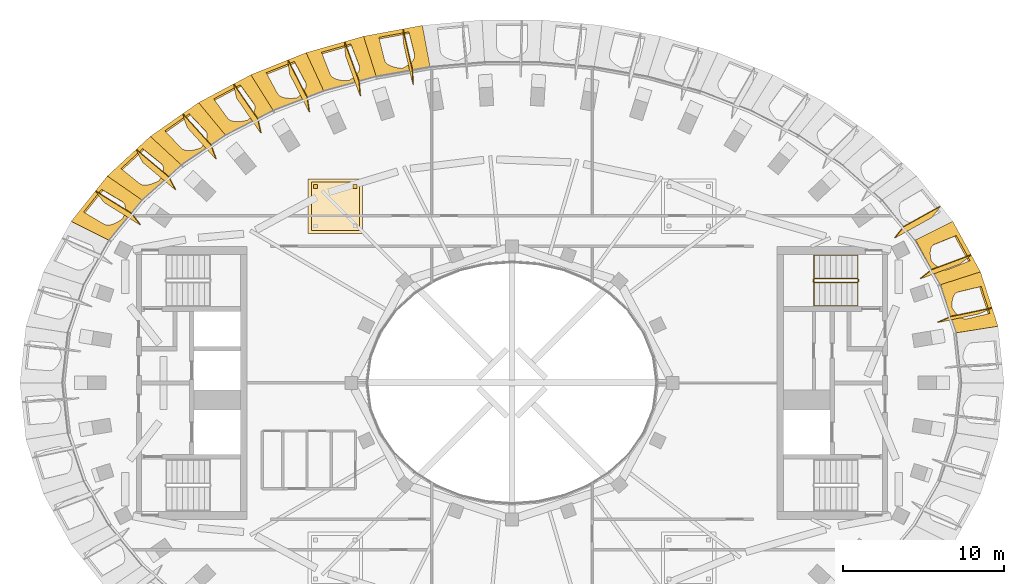
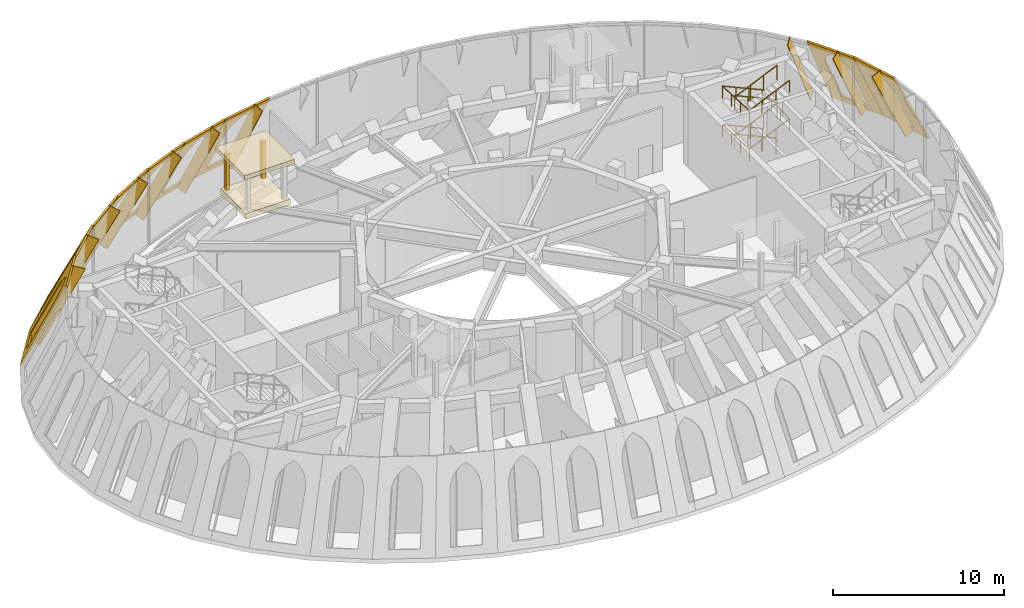
# One storey, part 12 of 13: 23 coverings, 2 railings.
"""IFC4 building model written with IfcOpenShell, lengths in metres."""

from ifc_helpers import new_model, si_unit, direction, frame, origin, origin_2d, place, context, subcontext, project, spatial, polyline, rectangle, outline, extrude, material, layer, layer_set, type_object, element, save


model = new_model("IFC4")

# Units and contexts
model_context = context("Model", 3, precision=1e-05, world=origin(), true_north=direction((0.0, 1.0)))
body_context = subcontext(model_context, "Body", "Model", "MODEL_VIEW")
ifc_project = project(units=[si_unit("LENGTHUNIT", "METRE"), si_unit("AREAUNIT", "SQUARE_METRE"), si_unit("VOLUMEUNIT", "CUBIC_METRE"), si_unit("PLANEANGLEUNIT", "RADIAN"), si_unit("MASSUNIT", "GRAM", prefix="KILO")], contexts=[model_context])

# Site, building, storey
site_placement = place(None, origin())
site = spatial("IfcSite", under=ifc_project, at=site_placement, CompositionType="ELEMENT")
building_placement = place(site_placement, origin())
building = spatial("IfcBuilding", under=site, at=building_placement, Name="Noorbagh Ring Tower", CompositionType="ELEMENT")
storey_placement = place(building_placement, frame((0.0, 0.0, 351.0)))
storey = spatial("IfcBuildingStorey", under=building, at=storey_placement, Name="L77", CompositionType="ELEMENT", Elevation=351.0)

# Railings
ifc_material_1 = material(Name="Stainless steel", Category="steel")
railing_type_1 = type_object("IfcRailingType", Name="CORE-STAIR-GUARD", PredefinedType="GUARDRAIL", material=ifc_material_1)
railing_1_placement = place(storey_placement, frame((21.580078125, 6.449951171875, 0.0)))
element("IfcRailing", 1, at=railing_1_placement, inside=storey, type_object=railing_type_1, Name="L77 ST3 stair guard", PredefinedType="GUARDRAIL", context=body_context, shape_type="SweptSolid", body=[
    extrude(rectangle(XDim=0.048095703125, YDim=0.048095703125, at=origin_2d()), frame((0.0, 0.0, 1.076171875), z_axis=(0.0, -1.0, 0.0), x_axis=(1.0, 0.0, 0.0)), (0.0, 0.0, 1.0), 0.14990234375),
    extrude(rectangle(XDim=0.048095703125, YDim=0.048095703125, at=origin_2d()), frame((0.0, -0.14990234375, 1.076171875), z_axis=(-0.195046945594, 0.779236333862, 0.595606770449), x_axis=(-0.970072785993, -0.242814311512, 0.0)), (0.0, 0.0, 1.0), 0.256591796875),
    extrude(rectangle(XDim=0.048095703125, YDim=0.048095703125, at=origin_2d()), frame((-0.050048828125, 0.050048828125, 1.22900390625), z_axis=(-0.912149621895, 0.0, 0.409857374312), x_axis=(0.0, -1.0, 0.0)), (0.0, 0.0, 1.0), 2.98193359375),
    extrude(rectangle(XDim=0.048095703125, YDim=0.048095703125, at=origin_2d()), frame((-2.77001953125, 0.050048828125, 2.451171875), z_axis=(-0.707106781187, -0.707106781187, 0.0), x_axis=(0.707106781187, -0.707106781187, 0.0)), (0.0, 0.0, 1.0), 0.07080078125),
    extrude(rectangle(XDim=0.048095703125, YDim=0.048095703125, at=origin_2d()), frame((-2.820068359375, 0.0, 2.451171875), z_axis=(0.0, -1.0, 0.0), x_axis=(1.0, 0.0, 0.0)), (0.0, 0.0, 1.0), 0.14990234375),
    extrude(rectangle(XDim=0.048095703125, YDim=0.048095703125, at=origin_2d()), frame((-2.820068359375, -0.14990234375, 2.451171875), z_axis=(0.297155754911, -0.297155754911, 0.90741220768), x_axis=(0.707106781187, 0.707106781187, 0.0)), (0.0, 0.0, 1.0), 0.16845703125),
    extrude(rectangle(XDim=0.048095703125, YDim=0.048095703125, at=origin_2d()), frame((-2.77001953125, -0.199951171875, 2.60400390625), z_axis=(0.912149621895, 0.0, 0.409857374312), x_axis=(0.0, 1.0, 0.0)), (0.0, 0.0, 1.0), 2.98193359375),
    extrude(rectangle(XDim=0.048095703125, YDim=0.048095703125, at=origin_2d()), frame((-0.050048828125, -0.199951171875, 3.826171875), z_axis=(0.242814311512, 0.970072785993, 0.0), x_axis=(-0.970072785993, 0.242814311512, 0.0)), (0.0, 0.0, 1.0), 0.2060546875),
    extrude(rectangle(XDim=0.048095703125, YDim=0.048095703125, at=origin_2d()), frame((0.0, 0.0, 3.826171875), z_axis=(0.0, -1.0, 0.0), x_axis=(1.0, 0.0, 0.0)), (0.0, 0.0, 1.0), 0.14990234375),
    extrude(rectangle(XDim=0.048095703125, YDim=0.048095703125, at=origin_2d()), frame((0.0, -0.14990234375, 3.826171875), z_axis=(-0.195046945594, 0.779236333862, 0.595606770449), x_axis=(-0.970072785993, -0.242814311512, 0.0)), (0.0, 0.0, 1.0), 0.256591796875),
    extrude(rectangle(XDim=0.048095703125, YDim=0.048095703125, at=origin_2d()), frame((-0.050048828125, 0.050048828125, 3.97900390625), z_axis=(-0.912149621895, 0.0, 0.409857374312), x_axis=(0.0, -1.0, 0.0)), (0.0, 0.0, 1.0), 2.98193359375),
    extrude(rectangle(XDim=0.048095703125, YDim=0.048095703125, at=origin_2d()), frame((-2.77001953125, 0.050048828125, 5.201171875), z_axis=(-0.707106781187, -0.707106781187, 0.0), x_axis=(0.707106781187, -0.707106781187, 0.0)), (0.0, 0.0, 1.0), 0.07080078125),
    extrude(rectangle(XDim=0.048095703125, YDim=0.048095703125, at=origin_2d()), frame((-2.820068359375, 0.0, 5.201171875), z_axis=(0.0, -1.0, 0.0), x_axis=(1.0, 0.0, 0.0)), (0.0, 0.0, 1.0), 0.14990234375),
    extrude(rectangle(XDim=0.048095703125, YDim=0.048095703125, at=origin_2d()), frame((-2.820068359375, -0.14990234375, 5.201171875), z_axis=(0.297155754911, -0.297155754911, 0.90741220768), x_axis=(0.707106781187, 0.707106781187, 0.0)), (0.0, 0.0, 1.0), 0.16845703125),
    extrude(rectangle(XDim=0.048095703125, YDim=0.048095703125, at=origin_2d()), frame((-2.77001953125, -0.199951171875, 5.35400390625), z_axis=(0.912149621895, 0.0, 0.409857374312), x_axis=(0.0, 1.0, 0.0)), (0.0, 0.0, 1.0), 2.98193359375),
    extrude(rectangle(XDim=0.0419921875, YDim=0.0419921875, at=origin_2d()), origin(), (0.0, 0.0, 1.0), 1.052001953125),
    extrude(rectangle(XDim=0.0419921875, YDim=0.0419921875, at=origin_2d()), frame((-0.956787109375, 0.050048828125, 0.560302734375)), (0.0, 0.0, 1.0), 1.052001953125),
    extrude(rectangle(XDim=0.0419921875, YDim=0.0419921875, at=origin_2d()), frame((-1.86328125, 0.050048828125, 0.967529296875)), (0.0, 0.0, 1.0), 1.052001953125),
    extrude(rectangle(XDim=0.0419921875, YDim=0.0419921875, at=origin_2d()), frame((-2.77001953125, 0.050048828125, 1.375)), (0.0, 0.0, 1.0), 1.052001953125),
    extrude(rectangle(XDim=0.0419921875, YDim=0.0419921875, at=origin_2d()), frame((-1.86328125, -0.199951171875, 1.935302734375)), (0.0, 0.0, 1.0), 1.052001953125),
    extrude(rectangle(XDim=0.0419921875, YDim=0.0419921875, at=origin_2d()), frame((-0.956787109375, -0.199951171875, 2.342529296875)), (0.0, 0.0, 1.0), 1.052001953125),
    extrude(rectangle(XDim=0.0419921875, YDim=0.0419921875, at=origin_2d()), frame((-0.050048828125, -0.199951171875, 2.75)), (0.0, 0.0, 1.0), 1.052001953125),
    extrude(rectangle(XDim=0.0419921875, YDim=0.0419921875, at=origin_2d()), frame((-0.956787109375, 0.050048828125, 3.310302734375)), (0.0, 0.0, 1.0), 1.052001953125),
    extrude(rectangle(XDim=0.0419921875, YDim=0.0419921875, at=origin_2d()), frame((-1.86328125, 0.050048828125, 3.717529296875)), (0.0, 0.0, 1.0), 1.052001953125),
    extrude(rectangle(XDim=0.0419921875, YDim=0.0419921875, at=origin_2d()), frame((-2.77001953125, 0.050048828125, 4.125)), (0.0, 0.0, 1.0), 1.052001953125),
    extrude(rectangle(XDim=0.0419921875, YDim=0.0419921875, at=origin_2d()), frame((-1.86328125, -0.199951171875, 4.685302734375)), (0.0, 0.0, 1.0), 1.052001953125),
    extrude(rectangle(XDim=0.0419921875, YDim=0.0419921875, at=origin_2d()), frame((-0.956787109375, -0.199951171875, 5.092529296875)), (0.0, 0.0, 1.0), 1.052001953125),
    extrude(rectangle(XDim=0.0419921875, YDim=0.0419921875, at=origin_2d()), frame((-0.050048828125, -0.199951171875, 5.5)), (0.0, 0.0, 1.0), 1.052001953125),
])
ifc_material_2 = material(Name="Stainless steel", Category="steel")
railing_type_2 = type_object("IfcRailingType", Name="CORE-STAIR-HANDRAIL", PredefinedType="HANDRAIL", material=ifc_material_2)
railing_2_placement = place(storey_placement, frame((21.530029296875, 7.949951171875, 0.15283203125)))
element("IfcRailing", 2, at=railing_2_placement, inside=storey, type_object=railing_type_2, Name="L77 ST3 stair handrail", PredefinedType="HANDRAIL", context=body_context, shape_type="SweptSolid", body=[
    extrude(rectangle(XDim=0.048095703125, YDim=0.048095703125, at=origin_2d()), frame((0.0, 0.0, 0.8759765625), z_axis=(-0.912149621895, 0.0, 0.409857374312), x_axis=(0.0, -1.0, 0.0)), (0.0, 0.0, 1.0), 2.98193359375),
    extrude(rectangle(XDim=0.048095703125, YDim=0.048095703125, at=origin_2d()), frame((-2.719970703125, 0.0, 2.09814453125), z_axis=(0.0, -0.998824997948, 0.048462598722), x_axis=(1.0, 0.0, 0.0)), (0.0, 0.0, 1.0), 3.153564453125),
    extrude(rectangle(XDim=0.048095703125, YDim=0.048095703125, at=origin_2d()), frame((-2.719970703125, -3.14990234375, 2.2509765625), z_axis=(0.912149621895, 0.0, 0.409857374312), x_axis=(0.0, 1.0, 0.0)), (0.0, 0.0, 1.0), 2.98193359375),
    extrude(rectangle(XDim=0.048095703125, YDim=0.048095703125, at=origin_2d()), frame((0.0, -3.14990234375, 3.47314453125), z_axis=(0.0, 0.998824997948, 0.048462598722), x_axis=(-1.0, 0.0, 0.0)), (0.0, 0.0, 1.0), 3.153564453125),
    extrude(rectangle(XDim=0.048095703125, YDim=0.048095703125, at=origin_2d()), frame((0.0, 0.0, 3.6259765625), z_axis=(-0.912149621895, 0.0, 0.409857374312), x_axis=(0.0, -1.0, 0.0)), (0.0, 0.0, 1.0), 2.98193359375),
    extrude(rectangle(XDim=0.048095703125, YDim=0.048095703125, at=origin_2d()), frame((-2.719970703125, 0.0, 4.84814453125), z_axis=(0.0, -0.998824997948, 0.048462598722), x_axis=(1.0, 0.0, 0.0)), (0.0, 0.0, 1.0), 3.153564453125),
    extrude(rectangle(XDim=0.048095703125, YDim=0.048095703125, at=origin_2d()), frame((-2.719970703125, -3.14990234375, 5.0009765625), z_axis=(0.912149621895, 0.0, 0.409857374312), x_axis=(0.0, 1.0, 0.0)), (0.0, 0.0, 1.0), 2.98193359375),
    extrude(rectangle(XDim=0.0419921875, YDim=0.0419921875, at=origin_2d()), origin(), (0.0, 0.0, 1.0), 0.851806640625),
    extrude(rectangle(XDim=0.0419921875, YDim=0.0419921875, at=origin_2d()), frame((-0.90673828125, 0.0, 0.407470703125)), (0.0, 0.0, 1.0), 0.851806640625),
    extrude(rectangle(XDim=0.0419921875, YDim=0.0419921875, at=origin_2d()), frame((-1.813232421875, 0.0, 0.814697265625)), (0.0, 0.0, 1.0), 0.851806640625),
    extrude(rectangle(XDim=0.0419921875, YDim=0.0419921875, at=origin_2d()), frame((-2.719970703125, 0.0, 1.22216796875)), (0.0, 0.0, 1.0), 0.851806640625),
    extrude(rectangle(XDim=0.0419921875, YDim=0.0419921875, at=origin_2d()), frame((-2.719970703125, -1.050048828125, 1.273193359375)), (0.0, 0.0, 1.0), 0.851806640625),
    extrude(rectangle(XDim=0.0419921875, YDim=0.0419921875, at=origin_2d()), frame((-2.719970703125, -2.099853515625, 1.323974609375)), (0.0, 0.0, 1.0), 0.851806640625),
    extrude(rectangle(XDim=0.0419921875, YDim=0.0419921875, at=origin_2d()), frame((-2.719970703125, -3.14990234375, 1.375)), (0.0, 0.0, 1.0), 0.851806640625),
    extrude(rectangle(XDim=0.0419921875, YDim=0.0419921875, at=origin_2d()), frame((-1.813232421875, -3.14990234375, 1.782470703125)), (0.0, 0.0, 1.0), 0.851806640625),
    extrude(rectangle(XDim=0.0419921875, YDim=0.0419921875, at=origin_2d()), frame((-0.90673828125, -3.14990234375, 2.189697265625)), (0.0, 0.0, 1.0), 0.851806640625),
    extrude(rectangle(XDim=0.0419921875, YDim=0.0419921875, at=origin_2d()), frame((0.0, -3.14990234375, 2.59716796875)), (0.0, 0.0, 1.0), 0.851806640625),
    extrude(rectangle(XDim=0.0419921875, YDim=0.0419921875, at=origin_2d()), frame((0.0, -2.099853515625, 2.648193359375)), (0.0, 0.0, 1.0), 0.851806640625),
    extrude(rectangle(XDim=0.0419921875, YDim=0.0419921875, at=origin_2d()), frame((0.0, -1.050048828125, 2.698974609375)), (0.0, 0.0, 1.0), 0.851806640625),
    extrude(rectangle(XDim=0.0419921875, YDim=0.0419921875, at=origin_2d()), frame((0.0, 0.0, 2.75)), (0.0, 0.0, 1.0), 0.851806640625),
    extrude(rectangle(XDim=0.0419921875, YDim=0.0419921875, at=origin_2d()), frame((-0.90673828125, 0.0, 3.157470703125)), (0.0, 0.0, 1.0), 0.851806640625),
    extrude(rectangle(XDim=0.0419921875, YDim=0.0419921875, at=origin_2d()), frame((-1.813232421875, 0.0, 3.564697265625)), (0.0, 0.0, 1.0), 0.851806640625),
    extrude(rectangle(XDim=0.0419921875, YDim=0.0419921875, at=origin_2d()), frame((-2.719970703125, 0.0, 3.97216796875)), (0.0, 0.0, 1.0), 0.851806640625),
    extrude(rectangle(XDim=0.0419921875, YDim=0.0419921875, at=origin_2d()), frame((-2.719970703125, -1.050048828125, 4.023193359375)), (0.0, 0.0, 1.0), 0.851806640625),
    extrude(rectangle(XDim=0.0419921875, YDim=0.0419921875, at=origin_2d()), frame((-2.719970703125, -2.099853515625, 4.073974609375)), (0.0, 0.0, 1.0), 0.851806640625),
    extrude(rectangle(XDim=0.0419921875, YDim=0.0419921875, at=origin_2d()), frame((-2.719970703125, -3.14990234375, 4.125)), (0.0, 0.0, 1.0), 0.851806640625),
    extrude(rectangle(XDim=0.0419921875, YDim=0.0419921875, at=origin_2d()), frame((-1.813232421875, -3.14990234375, 4.532470703125)), (0.0, 0.0, 1.0), 0.851806640625),
    extrude(rectangle(XDim=0.0419921875, YDim=0.0419921875, at=origin_2d()), frame((-0.90673828125, -3.14990234375, 4.939697265625)), (0.0, 0.0, 1.0), 0.851806640625),
    extrude(rectangle(XDim=0.0419921875, YDim=0.0419921875, at=origin_2d()), frame((0.0, -3.14990234375, 5.34716796875)), (0.0, 0.0, 1.0), 0.851806640625),
])

# Coverings
ifc_material_3 = material(Name="Aluminium 6063-T6 black anodised", Category="aluminium")
ifc_layer_1 = layer(ifc_material_3, 0.050048828125)
ifc_layer_set_1 = layer_set([ifc_layer_1], Name="Aluminium 6063-T6 black anodised")
covering_type_1 = type_object("IfcCoveringType", Name="STYLE-HEAD-FIN", PredefinedType="CLADDING", material=ifc_layer_set_1)
covering_1_placement = place(storey_placement, frame((29.904296875, 4.65380859375, 0.0), z_axis=(0.400688424895, -0.910999154714, 0.097618268095), x_axis=(-0.421321152864, -0.08859594368, 0.902573678385)))
element("IfcCovering", 3, at=covering_1_placement, inside=storey, type_object=covering_type_1, Name="Fin rib F02 L77", ObjectType="FIN", PredefinedType="CLADDING", context=body_context, shape_type="SweptSolid", body=[
    extrude(outline(polyline([(0.0, 0.0), (6.098283743966441, 0.0), (6.477437540398174, 0.8161121065043528), (0.3791537964317329, 0.8161121065043523), (0.0, 0.0)])), origin(), (0.0, 0.0, -1.0), 0.050048828125),
])
covering_2_placement = place(storey_placement, frame((28.603271484375, 7.9599609375, 0.0), z_axis=(0.616036361535, -0.774273152439, 0.144914756597), x_axis=(-0.402490997772, -0.151256781458, 0.902841283269)))
element("IfcCovering", 4, at=covering_2_placement, inside=storey, type_object=covering_type_1, Name="Fin rib F03 L77", ObjectType="FIN", PredefinedType="CLADDING", context=body_context, shape_type="SweptSolid", body=[
    extrude(outline(polyline([(0.0, 0.0), (6.0983811602145135, -4.440892098500626e-16), (6.466525288881687, 0.8210773771916551), (0.3682423930709269, 0.821242691260718), (0.0, 0.0)])), origin(), (0.0, 0.0, -1.0), 0.050048828125),
])
covering_3_placement = place(storey_placement, frame((26.702392578125, 10.996337890625, 0.0), z_axis=(0.768891473227, -0.614178761861, 0.177736745998), x_axis=(-0.37552312885, -0.20880365143, 0.902985833138)))
element("IfcCovering", 5, at=covering_3_placement, inside=storey, type_object=covering_type_1, Name="Fin rib F04 L77", ObjectType="FIN", PredefinedType="CLADDING", context=body_context, shape_type="SweptSolid", body=[
    extrude(outline(polyline([(0.0, 0.0), (6.098455870785174, 0.0), (6.4562276568206345, 0.8258128830219027), (0.35768010558408087, 0.8256865444868886), (0.0, 0.0)])), origin(), (0.0, 0.0, -1.0), 0.050048828125),
])
covering_4_placement = place(storey_placement, frame((-6.8046875, 22.036376953125, 0.0), z_axis=(-0.995291307424, -0.050832590545, 0.082530364739), x_axis=(0.096307228498, -0.422334816244, 0.901309170445)))
element("IfcCovering", 6, at=covering_4_placement, inside=storey, type_object=covering_type_1, Name="Fin rib F14 L77", ObjectType="FIN", PredefinedType="CLADDING", context=body_context, shape_type="SweptSolid", body=[
    extrude(outline(polyline([(0.0, 0.0), (6.09925498751301, 0.0), (6.483219884376004, -0.8138220418115836), (0.3839648968629928, -0.8138220418115834), (0.0, 0.0)])), origin(), (0.0, 0.0, -1.0), 0.050048828125),
])
covering_5_placement = place(storey_placement, frame((-10.439453125, 21.244384765625, 0.0), z_axis=(-0.988635906254, -0.085886398174, 0.123379785514), x_axis=(0.147865447446, -0.407570651298, 0.901122618544)))
element("IfcCovering", 7, at=covering_5_placement, inside=storey, type_object=covering_type_1, Name="Fin rib F15 L77", ObjectType="FIN", PredefinedType="CLADDING", context=body_context, shape_type="SweptSolid", body=[
    extrude(outline(polyline([(0.0, 0.0), (6.099163018322955, -4.440892098500626e-16), (6.47605962703906, -0.8171282697437583), (0.3768966087161059, -0.817128269743758), (0.0, 0.0)])), origin(), (0.0, 0.0, -1.0), 0.050048828125),
])
covering_6_placement = place(storey_placement, frame((-13.9697265625, 20.10498046875, 0.0), z_axis=(-0.977974624912, -0.139595830022, 0.155172926986), x_axis=(0.198063756298, -0.386120249243, 0.900933905215)))
element("IfcCovering", 8, at=covering_6_placement, inside=storey, type_object=covering_type_1, Name="Fin rib F16 L77", ObjectType="FIN", PredefinedType="CLADDING", context=body_context, shape_type="SweptSolid", body=[
    extrude(outline(polyline([(0.0, 0.0), (6.09908564331805, 4.440892098500626e-16), (6.46835569379825, -0.8209151321671255), (0.36927005048019895, -0.8209151321671257), (0.0, 0.0)])), origin(), (0.0, 0.0, -1.0), 0.050048828125),
])
covering_7_placement = place(storey_placement, frame((-17.348876953125, 18.60986328125, 0.0), z_axis=(-0.960146345179, -0.216940741229, 0.176226305173), x_axis=(0.246163302363, -0.357748287995, 0.900788427438)))
element("IfcCovering", 9, at=covering_7_placement, inside=storey, type_object=covering_type_1, Name="Fin rib F17 L77", ObjectType="FIN", PredefinedType="CLADDING", context=body_context, shape_type="SweptSolid", body=[
    extrude(outline(polyline([(0.0, 0.0), (6.099009458491974, 0.0), (6.461887252718225, -0.8236383877764717), (0.36293789268874216, -0.8236707054156718), (0.0, 0.0)])), origin(), (0.0, 0.0, -1.0), 0.050048828125),
])
covering_8_placement = place(storey_placement, frame((-20.5205078125, 16.751953125, 0.0), z_axis=(-0.928676483541, -0.321198381937, 0.18544969226), x_axis=(0.29134057284, -0.322324030298, 0.900681902844)))
element("IfcCovering", 10, at=covering_8_placement, inside=storey, type_object=covering_type_1, Name="Fin rib F18 L77", ObjectType="FIN", PredefinedType="CLADDING", context=body_context, shape_type="SweptSolid", body=[
    extrude(outline(polyline([(0.0, 0.0), (6.0988946765299925, 0.0), (6.4587682878163655, -0.8249453650408887), (0.35987361128637296, -0.8249453650408887), (0.0, 0.0)])), origin(), (0.0, 0.0, -1.0), 0.050048828125),
])
covering_9_placement = place(storey_placement, frame((-23.416015625, 14.526611328125, 0.0), z_axis=(-0.873013491343, -0.452510659353, 0.181883333774), x_axis=(0.332597979615, -0.279660820046, 0.900648882577)))
element("IfcCovering", 11, at=covering_9_placement, inside=storey, type_object=covering_type_1, Name="Fin rib F19 L77", ObjectType="FIN", PredefinedType="CLADDING", context=body_context, shape_type="SweptSolid", body=[
    extrude(outline(polyline([(0.0, 0.0), (6.098868728164689, 0.0), (6.460054284179762, -0.8243234937610628), (0.3612667566936901, -0.8244105756891451), (0.0, 0.0)])), origin(), (0.0, 0.0, -1.0), 0.050048828125),
])
covering_10_placement = place(storey_placement, frame((-25.951416015625, 11.93798828125, 0.0), z_axis=(-0.779007314807, -0.605062019505, 0.164461411977), x_axis=(0.368663974331, -0.229829501209, 0.900702655933)))
element("IfcCovering", 12, at=covering_10_placement, inside=storey, type_object=covering_type_1, Name="Fin rib F20 L77", ObjectType="FIN", PredefinedType="CLADDING", context=body_context, shape_type="SweptSolid", body=[
    extrude(outline(polyline([(0.0, 0.0), (6.098483096164133, 4.440892098500626e-16), (6.465324630339863, -0.8217167980010722), (0.3668415341757292, -0.8217167980010722), (0.0, 0.0)])), origin(), (0.0, 0.0, -1.0), 0.050048828125),
])
ifc_material_4 = material(Name="Red sandstone jali", Category="masonry")
ifc_layer_2 = layer(ifc_material_4, 0.1201171875)
ifc_layer_set_2 = layer_set([ifc_layer_2], Name="Red sandstone jali")
covering_type_2 = type_object("IfcCoveringType", Name="STYLE-HEAD-SKIN", PredefinedType="CLADDING", material=ifc_layer_set_2)
covering_11_placement = place(storey_placement, frame((30.267578125, 3.5244140625, 0.0), z_axis=(0.860097212233, 0.276579506936, 0.428645030126), x_axis=(-0.306132482227, 0.951988919722, 7.158631e-06)))
element("IfcCovering", 13, at=covering_11_placement, inside=storey, type_object=covering_type_2, Name="Head skin panel", ObjectType="HEAD SKIN", PredefinedType="CLADDING", context=body_context, shape_type="SweptSolid", body=[
    extrude(outline(polyline([(0.0, 0.0), (3.55908203125, 0.0), (3.561767578125, 6.087646484375), (0.4072265625, 6.087646484375), (0.0, 0.0)]), holes=[polyline([(0.914794921875, 0.550048828125), (1.03125, 4.0078125), (1.05419921875, 4.238525390625), (1.106689453125, 4.465087890625), (1.1884765625, 4.683837890625), (1.297607421875, 4.89111328125), (1.432373046875, 5.083251953125), (1.590576171875, 5.257080078125), (1.769287109375, 5.4091796875), (1.9658203125, 5.53759765625), (2.15380859375, 5.4091796875), (2.322265625, 5.257080078125), (2.46875, 5.083251953125), (2.590576171875, 4.89111328125), (2.685791015625, 4.683837890625), (2.752685546875, 4.465087890625), (2.790283203125, 4.238525390625), (2.797607421875, 4.0078125), (2.68115234375, 0.550048828125), (0.914794921875, 0.550048828125)])]), origin(), (0.0, 0.0, -1.0), 0.1201171875),
])
covering_12_placement = place(storey_placement, frame((29.177978515625, 6.91259765625, 0.0), z_axis=(0.79298723872, 0.435163602458, 0.426384660046), x_axis=(-0.481091019091, 0.876670651538, 9.099553e-06)))
element("IfcCovering", 14, at=covering_12_placement, inside=storey, type_object=covering_type_2, Name="Head skin panel", ObjectType="HEAD SKIN", PredefinedType="CLADDING", context=body_context, shape_type="SweptSolid", body=[
    extrude(outline(polyline([(0.0, 0.0), (3.584228515625, 0.0), (3.694580078125, 6.080322265625), (0.5029296875, 6.08056640625), (0.0, 0.0)]), holes=[polyline([(0.92626953125, 0.550048828125), (1.099365234375, 3.982666015625), (1.12646484375, 4.2158203125), (1.18359375, 4.4453125), (1.27001953125, 4.66650390625), (1.3837890625, 4.876220703125), (1.523681640625, 5.07080078125), (1.6865234375, 5.24658203125), (1.8701171875, 5.400634765625), (2.071044921875, 5.530517578125), (2.2587890625, 5.400634765625), (2.427001953125, 5.24658203125), (2.572265625, 5.07080078125), (2.6923828125, 4.876220703125), (2.78515625, 4.66650390625), (2.84912109375, 4.4453125), (2.88330078125, 4.2158203125), (2.88671875, 3.982666015625), (2.71337890625, 0.550048828125), (0.92626953125, 0.550048828125)])]), origin(), (0.0, 0.0, -1.0), 0.1201171875),
])
covering_13_placement = place(storey_placement, frame((-5.583251953125, 22.261962890625, 0.0), z_axis=(-0.163727458525, 0.886468562919, 0.43285887571), x_axis=(-0.983368611567, -0.181620961709, -7.324887e-06)))
element("IfcCovering", 15, at=covering_13_placement, inside=storey, type_object=covering_type_2, Name="Head skin panel", ObjectType="HEAD SKIN", PredefinedType="CLADDING", context=body_context, shape_type="SweptSolid", body=[
    extrude(outline(polyline([(0.0, 0.0), (3.7265625, 0.0), (3.400146484375, 6.101318359375), (-0.001708984375, 6.10107421875), (0.0, 0.0)]), holes=[polyline([(0.89599609375, 0.550048828125), (0.805908203125, 3.901611328125), (0.8154296875, 4.150146484375), (0.857666015625, 4.39453125), (0.931396484375, 4.630615234375), (1.035400390625, 4.85400390625), (1.16845703125, 5.061279296875), (1.32763671875, 5.24853515625), (1.510498046875, 5.412841796875), (1.714111328125, 5.55126953125), (1.925048828125, 5.412841796875), (2.11669921875, 5.24853515625), (2.2861328125, 5.061279296875), (2.43017578125, 4.85400390625), (2.54638671875, 4.630615234375), (2.6328125, 4.39453125), (2.68798828125, 4.150146484375), (2.7109375, 3.901611328125), (2.801025390625, 0.550048828125), (0.89599609375, 0.550048828125)])]), origin(), (0.0, 0.0, -1.0), 0.1201171875),
])
covering_14_placement = place(storey_placement, frame((-9.247802734375, 21.585205078125, 0.0), z_axis=(-0.247829422841, 0.86679912217, 0.432712212653), x_axis=(-0.961472173463, -0.274902272768, 9.139774e-06)))
element("IfcCovering", 16, at=covering_14_placement, inside=storey, type_object=covering_type_2, Name="Head skin panel", ObjectType="HEAD SKIN", PredefinedType="CLADDING", context=body_context, shape_type="SweptSolid", body=[
    extrude(outline(polyline([(0.0, 0.0), (3.71826171875, 0.0), (3.315185546875, 6.1005859375), (-0.07421875, 6.100830078125), (0.0, 0.0)]), holes=[polyline([(0.888427734375, 0.550048828125), (0.757080078125, 3.9072265625), (0.763671875, 4.15478515625), (0.802490234375, 4.3984375), (0.873291015625, 4.633544921875), (0.974365234375, 4.856201171875), (1.104248046875, 5.0625), (1.260498046875, 5.249267578125), (1.44091796875, 5.412841796875), (1.641845703125, 5.55078125), (1.853515625, 5.412841796875), (2.046630859375, 5.249267578125), (2.2177734375, 5.0625), (2.36376953125, 4.856201171875), (2.482177734375, 4.633544921875), (2.5712890625, 4.3984375), (2.629150390625, 4.15478515625), (2.655029296875, 3.9072265625), (2.78662109375, 0.550048828125), (0.888427734375, 0.550048828125)])]), origin(), (0.0, 0.0, -1.0), 0.1201171875),
])
covering_15_placement = place(storey_placement, frame((-12.82275390625, 20.56298828125, 0.0), z_axis=(-0.334492651265, 0.837351581237, 0.43238523986), x_axis=(-0.928649859441, -0.370957461766, -1.0954121e-05)))
element("IfcCovering", 17, at=covering_15_placement, inside=storey, type_object=covering_type_2, Name="Head skin panel", ObjectType="HEAD SKIN", PredefinedType="CLADDING", context=body_context, shape_type="SweptSolid", body=[
    extrude(outline(polyline([(0.0, 0.0), (3.70556640625, 0.0), (3.23388671875, 6.099609375), (-0.13671875, 6.099609375), (0.0, 0.0)]), holes=[polyline([(0.881591796875, 0.550048828125), (0.7138671875, 3.9150390625), (0.7177734375, 4.161376953125), (0.75390625, 4.403564453125), (0.821533203125, 4.637451171875), (0.919921875, 4.85888671875), (1.046875, 5.064208984375), (1.2001953125, 5.249755859375), (1.3779296875, 5.41259765625), (1.576416015625, 5.5498046875), (1.78857421875, 5.41259765625), (1.982177734375, 5.249755859375), (2.154296875, 5.064208984375), (2.3017578125, 4.85888671875), (2.421875, 4.637451171875), (2.512939453125, 4.403564453125), (2.5732421875, 4.161376953125), (2.6015625, 3.9150390625), (2.769287109375, 0.550048828125), (0.881591796875, 0.550048828125)])]), origin(), (0.0, 0.0, -1.0), 0.1201171875),
])
covering_16_placement = place(storey_placement, frame((-16.263916015625, 19.1884765625, 0.0), z_axis=(-0.424330728868, 0.795800076924, 0.432025080413), x_axis=(-0.882396060343, -0.470507377912, 4.731437e-06)))
element("IfcCovering", 18, at=covering_16_placement, inside=storey, type_object=covering_type_2, Name="Head skin panel", ObjectType="HEAD SKIN", PredefinedType="CLADDING", context=body_context, shape_type="SweptSolid", body=[
    extrude(outline(polyline([(0.0, 0.0), (3.688720703125, 0.0), (3.162353515625, 6.098388671875), (-0.18408203125, 6.0986328125), (0.0, 0.0)]), holes=[polyline([(0.87548828125, 0.550048828125), (0.6787109375, 3.925537109375), (0.6806640625, 4.170166015625), (0.714599609375, 4.41064453125), (0.77978515625, 4.642578125), (0.87548828125, 4.862548828125), (0.999755859375, 5.06640625), (1.150634765625, 5.250732421875), (1.325439453125, 5.412353515625), (1.521240234375, 5.548583984375), (1.733154296875, 5.412353515625), (1.9267578125, 5.250732421875), (2.09912109375, 5.06640625), (2.247314453125, 4.862548828125), (2.368408203125, 4.642578125), (2.460693359375, 4.41064453125), (2.5224609375, 4.170166015625), (2.552734375, 3.925537109375), (2.74951171875, 0.550048828125), (0.87548828125, 0.550048828125)])]), origin(), (0.0, 0.0, -1.0), 0.1201171875),
])
covering_17_placement = place(storey_placement, frame((-19.518798828125, 17.452880859375, 0.0), z_axis=(-0.517140944564, 0.739034083114, 0.43173356072), x_axis=(-0.819324576879, -0.573329955289, 9.478617e-06)))
element("IfcCovering", 19, at=covering_17_placement, inside=storey, type_object=covering_type_2, Name="Head skin panel", ObjectType="HEAD SKIN", PredefinedType="CLADDING", context=body_context, shape_type="SweptSolid", body=[
    extrude(outline(polyline([(0.0, 0.0), (3.66748046875, 0.0), (3.10400390625, 6.097412109375), (-0.211181640625, 6.09765625), (0.0, 0.0)]), holes=[polyline([(0.87060546875, 0.550048828125), (0.6552734375, 3.939697265625), (0.65576171875, 4.18212890625), (0.68798828125, 4.42041015625), (0.75146484375, 4.650390625), (0.844970703125, 4.8681640625), (0.967041015625, 5.070068359375), (1.115478515625, 5.252685546875), (1.2880859375, 5.41259765625), (1.4814453125, 5.547607421875), (1.69189453125, 5.41259765625), (1.884765625, 5.252685546875), (2.056396484375, 5.070068359375), (2.2041015625, 4.8681640625), (2.325439453125, 4.650390625), (2.41796875, 4.42041015625), (2.48046875, 4.18212890625), (2.51171875, 3.939697265625), (2.727294921875, 0.550048828125), (0.87060546875, 0.550048828125)])]), origin(), (0.0, 0.0, -1.0), 0.1201171875),
])
covering_18_placement = place(storey_placement, frame((-22.523681640625, 15.35009765625, 0.0), z_axis=(-0.611813891168, 0.662793078396, 0.431728036853), x_axis=(-0.734805554391, -0.678277816987, -1.4831456e-05)))
element("IfcCovering", 20, at=covering_18_placement, inside=storey, type_object=covering_type_2, Name="Head skin panel", ObjectType="HEAD SKIN", PredefinedType="CLADDING", context=body_context, shape_type="SweptSolid", body=[
    extrude(outline(polyline([(0.0, 0.0), (3.642333984375, 0.0), (3.06591796875, 6.09765625), (-0.2119140625, 6.097412109375), (0.0, 0.0)]), holes=[polyline([(0.867919921875, 0.550048828125), (0.6474609375, 3.9580078125), (0.647705078125, 4.197509765625), (0.67919921875, 4.43310546875), (0.74169921875, 4.660400390625), (0.833984375, 4.875732421875), (0.954345703125, 5.075439453125), (1.10107421875, 5.255859375), (1.271240234375, 5.414306640625), (1.46240234375, 5.547607421875), (1.670654296875, 5.414306640625), (1.861328125, 5.255859375), (2.03125, 5.075439453125), (2.177490234375, 4.875732421875), (2.2978515625, 4.660400390625), (2.3896484375, 4.43310546875), (2.45166015625, 4.197509765625), (2.48291015625, 3.9580078125), (2.703369140625, 0.550048828125), (0.867919921875, 0.550048828125)])]), origin(), (0.0, 0.0, -1.0), 0.1201171875),
])
covering_19_placement = place(storey_placement, frame((-25.2001953125, 12.879638671875, 0.0), z_axis=(-0.705010151312, 0.562400710764, 0.432048755443), x_axis=(-0.623604421332, -0.781740062694, 8.608866e-06)))
element("IfcCovering", 21, at=covering_19_placement, inside=storey, type_object=covering_type_2, Name="Head skin panel", ObjectType="HEAD SKIN", PredefinedType="CLADDING", context=body_context, shape_type="SweptSolid", body=[
    extrude(outline(polyline([(0.0, 0.0), (3.613525390625, 0.0), (3.05517578125, 6.0986328125), (-0.179931640625, 6.0986328125), (0.0, 0.0)]), holes=[polyline([(0.86767578125, 0.550048828125), (0.659912109375, 3.9794921875), (0.6611328125, 4.216064453125), (0.693359375, 4.448486328125), (0.755859375, 4.6728515625), (0.847900390625, 4.885498046875), (0.967529296875, 5.08251953125), (1.113037109375, 5.2607421875), (1.28173828125, 5.4169921875), (1.470703125, 5.548583984375), (1.67578125, 5.4169921875), (1.863525390625, 5.2607421875), (2.030517578125, 5.08251953125), (2.174072265625, 4.885498046875), (2.291748046875, 4.6728515625), (2.381591796875, 4.448486328125), (2.44189453125, 4.216064453125), (2.4716796875, 3.9794921875), (2.67919921875, 0.550048828125), (0.86767578125, 0.550048828125)])]), origin(), (0.0, 0.0, -1.0), 0.1201171875),
])
ifc_material_5 = material(Name="Red sandstone cladding", Category="masonry")
ifc_layer_3 = layer(ifc_material_5, 0.300048828125)
ifc_layer_set_3 = layer_set([ifc_layer_3], Name="Red sandstone cladding")
covering_type_3 = type_object("IfcCoveringType", Name="STYLE-KIOSK-CORNICE", PredefinedType="CLADDING", material=ifc_layer_set_3)
covering_20_placement = place(storey_placement, frame((-11.0, 11.0, 8.5), z_axis=(0.0, 0.0, 1.0), x_axis=(1.0, 0.0, 0.0)))
element("IfcCovering", 22, at=covering_20_placement, inside=storey, type_object=covering_type_3, Name="Chhatri cornice", ObjectType="KIOSK", PredefinedType="CLADDING", context=body_context, shape_type="SweptSolid", body=[
    extrude(rectangle(XDim=3.39990234375, YDim=3.39990234375, at=origin_2d()), origin(), (0.0, 0.0, 1.0), 0.300048828125),
])
ifc_material_6 = material(Name="Red sandstone cladding", Category="masonry")
ifc_layer_4 = layer(ifc_material_6, 0.39990234375)
ifc_layer_set_4 = layer_set([ifc_layer_4], Name="Red sandstone cladding")
covering_type_4 = type_object("IfcCoveringType", Name="STYLE-KIOSK-PLINTH", PredefinedType="CLADDING", material=ifc_layer_set_4)
covering_21_placement = place(storey_placement, frame((-11.0, 11.0, 5.5), z_axis=(0.0, 0.0, 1.0), x_axis=(1.0, 0.0, 0.0)))
element("IfcCovering", 23, at=covering_21_placement, inside=storey, type_object=covering_type_4, Name="Chhatri plinth", ObjectType="KIOSK", PredefinedType="CLADDING", context=body_context, shape_type="SweptSolid", body=[
    extrude(rectangle(XDim=3.0, YDim=3.0, at=origin_2d()), origin(), (0.0, 0.0, 1.0), 0.39990234375),
])
ifc_material_7 = material(Name="Red sandstone cladding", Category="masonry")
covering_type_5 = type_object("IfcCoveringType", Name="STYLE-KIOSK-POST", PredefinedType="CLADDING", material=ifc_material_7)
for number, where, z_axis, x_axis, name in (
    (24, (-9.77490234375, 12.22509765625, 5.89990234375), (0.0, 0.0, 1.0), (1.0, 0.0, 0.0), "Chhatri post"),
    (25, (-12.22509765625, 12.22509765625, 5.89990234375), (0.0, 0.0, 1.0), (1.0, 0.0, 0.0), "Chhatri post"),
):
    element("IfcCovering", number, at=place(storey_placement, frame(where, z_axis=z_axis, x_axis=x_axis)), inside=storey, type_object=covering_type_5, Name=name, ObjectType="KIOSK", PredefinedType="CLADDING", context=body_context, shape_type="SweptSolid", body=[
        extrude(rectangle(XDim=0.25, YDim=0.25, at=origin_2d()), origin(), (0.0, 0.0, 1.0), 2.60009765625),
    ])

save(model, "model.ifc")
